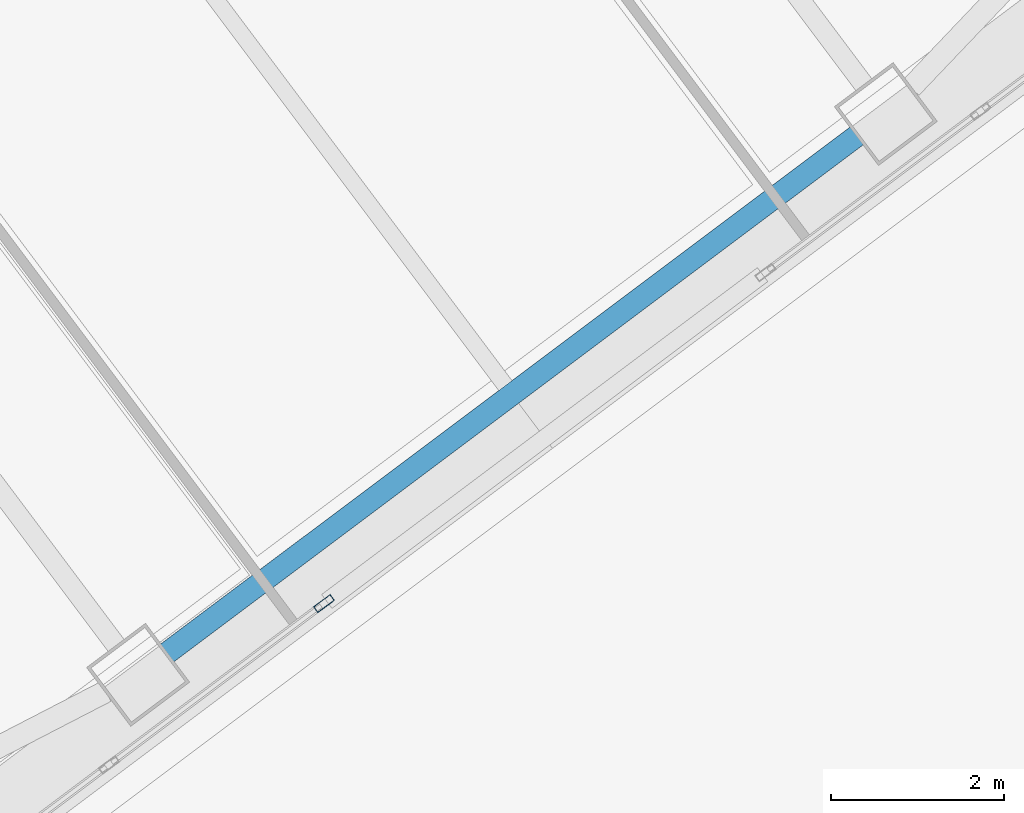
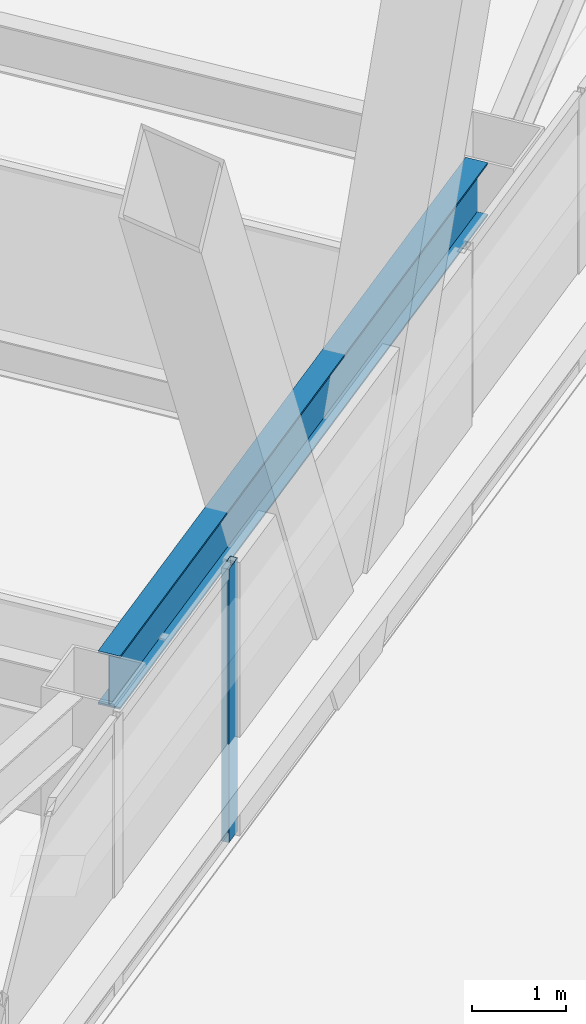
# One storey, part 37 of 83: 1 beam, 1 member, 1 element without a shape of its own.
"""IFC4 building model written with IfcOpenShell, lengths in metres."""

from ifc_helpers import new_model, si_unit, direction, frame, origin, origin_2d, place, context, subcontext, project, spatial, hollow_rectangle, i_section, extrude, material, material_profile, profile_set, type_object, element, aggregate, save


model = new_model("IFC4")

# Units and contexts
model_context = context("Model", 3, precision=1e-05, world=origin(), true_north=direction((0.0, 1.0)))
body_context = subcontext(model_context, "Body", "Model", "MODEL_VIEW")
ifc_project = project(units=[si_unit("LENGTHUNIT", "METRE"), si_unit("AREAUNIT", "SQUARE_METRE"), si_unit("VOLUMEUNIT", "CUBIC_METRE"), si_unit("PLANEANGLEUNIT", "RADIAN"), si_unit("MASSUNIT", "GRAM", prefix="KILO")], contexts=[model_context])

# Site, building, storey
site_placement = place(None, origin())
site = spatial("IfcSite", under=ifc_project, at=site_placement, CompositionType="ELEMENT")
building_placement = place(site_placement, origin())
building = spatial("IfcBuilding", under=site, at=building_placement, Name="Tashvorn Skyway Center", CompositionType="ELEMENT")
storey_placement = place(building_placement, frame((0.0, 0.0, 24.60009765625)))
storey = spatial("IfcBuildingStorey", under=building, at=storey_placement, Name="L05", CompositionType="ELEMENT", Elevation=24.60009765625)

# Beam
ifc_material_1 = material(Name="Steel ASTM A992 Grade 50", Category="steel")
ifc_material_profile_1 = material_profile(ifc_material_1, i_section(OverallWidth=0.256103515625, OverallDepth=0.693115234375, WebThickness=0.014404296875, FlangeThickness=0.023681640625, at=origin_2d()), Name="W27X114")
ifc_profile_set_1 = profile_set([ifc_material_profile_1], Name="Steel ASTM A992 Grade 50")
beam_type = type_object("IfcBeamType", Name="BM-SPANDREL-W27X114", PredefinedType="SPANDREL", material=ifc_profile_set_1)
beam_placement = place(storey_placement, frame((122.64599609375, 12.172119140625, 3.00341796875), z_axis=(0.800008824351, 0.599988234018, 0.0), x_axis=(-0.599988234018, 0.800008824351, 0.0)))
element("IfcBeam", 1, at=beam_placement, inside=storey, type_object=beam_type, Name="Tower 2 L05 Spandrel Beam 02", PredefinedType="SPANDREL", context=body_context, shape_type="SweptSolid", body=[
    extrude(i_section(OverallWidth=0.256103515625, OverallDepth=0.693115234375, WebThickness=0.014404296875, FlangeThickness=0.023681640625, at=origin_2d()), origin(), (0.0, 0.0, 1.0), 9.9599609375),
])

# Curtain wall, member
ifc_material_2 = material(Name="Thermally broken bronze-anodized aluminium 6063-T6", Category="aluminium")
curtain_wall_type = type_object("IfcCurtainWallType", Name="CW-CW-Z1", PredefinedType="NOTDEFINED", material=ifc_material_2)
curtain_wall_placement = place(storey_placement, origin())
curtain_wall = element("IfcCurtainWall", 2, at=curtain_wall_placement, inside=storey, type_object=curtain_wall_type, Name="Tower 2 L05 South Unitised Curtain Wall Glazing Group 3", PredefinedType="NOTDEFINED")
ifc_material_profile_2 = material_profile(ifc_material_2, hollow_rectangle(XDim=0.0849609375, YDim=0.239990234375, WallThickness=0.0048828125, at=origin_2d()), Name="ALU-MULL-85x240")
ifc_profile_set_2 = profile_set([ifc_material_profile_2], Name="Thermally broken bronze-anodized aluminium 6063-T6")
member_type = type_object("IfcMemberType", Name="CWM-CW-Z1", PredefinedType="MULLION", material=ifc_profile_set_2)
member_placement = place(storey_placement, frame((124.456787109375, 12.742431640625, 0.0), z_axis=(0.0, 0.0, 1.0), x_axis=(0.599997457641, -0.800001906763, 0.0)))
member = element("IfcMember", 3, at=member_placement, type_object=member_type, Name="CW-Z1 mullion 1", PredefinedType="MULLION", context=body_context, shape_type="SweptSolid", body=[
    extrude(hollow_rectangle(XDim=0.0849609375, YDim=0.239990234375, WallThickness=0.0048828125, at=origin_2d()), origin(), (0.0, 0.0, 1.0), 3.5498046875),
])
aggregate(curtain_wall, [member])

save(model, "model.ifc")
